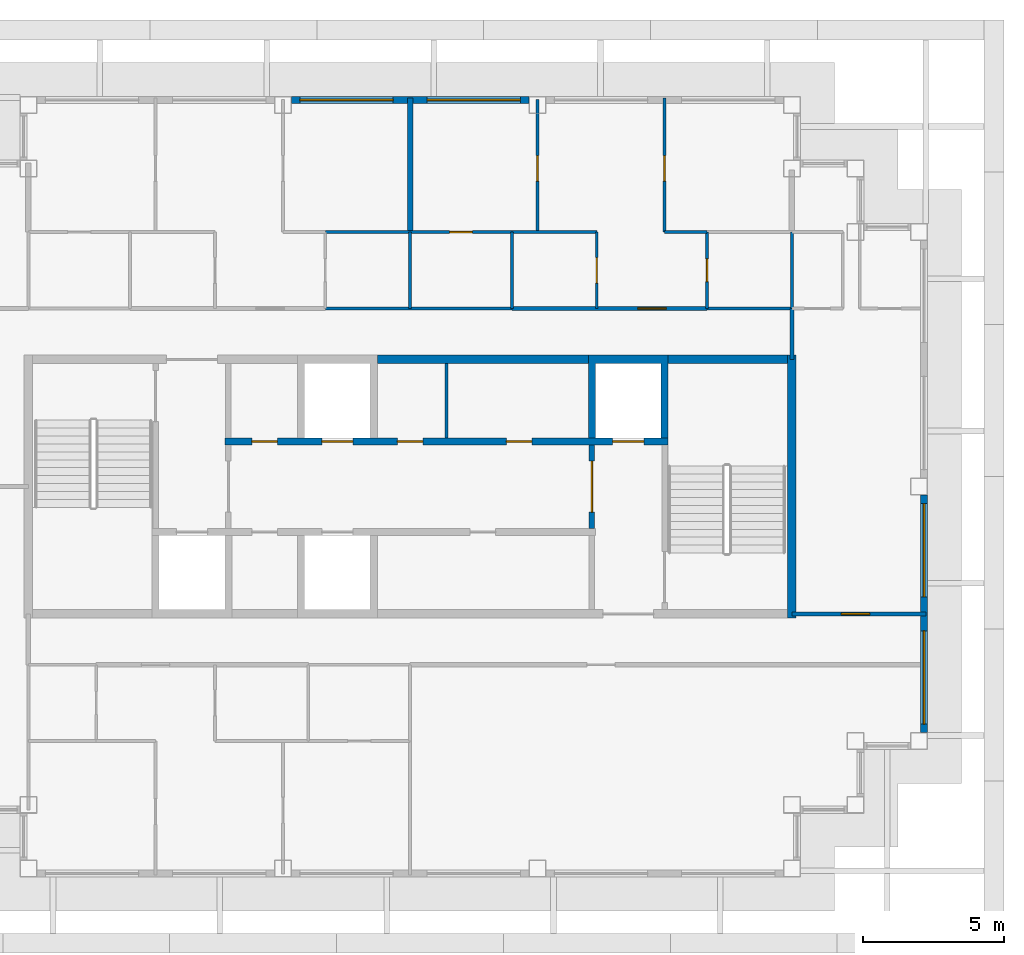
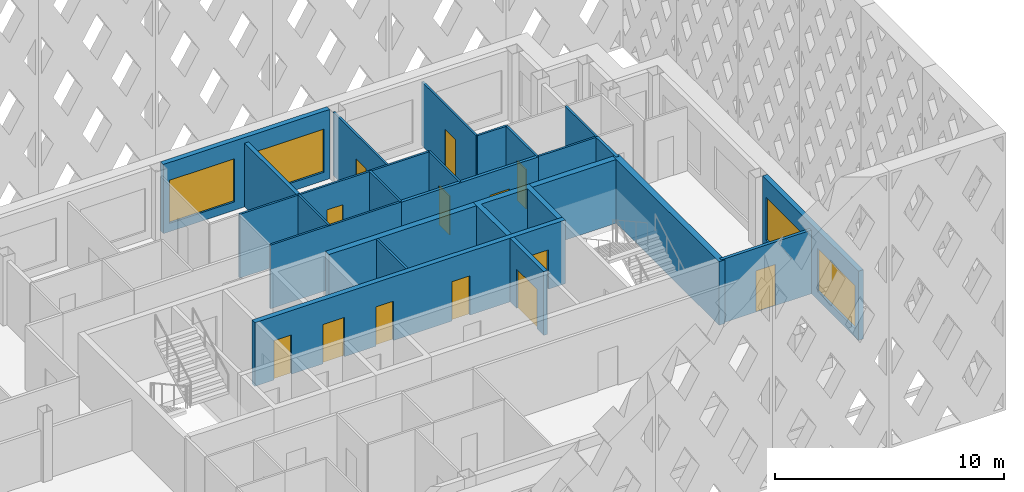
# One storey, part 5 of 15: 25 walls, 13 doors, 4 windows, 17 openings.
"""IFC4 building model written with IfcOpenShell, lengths in metres."""

import ifcopenshell
import ifcopenshell.guid

model = None  # the IFC model being written
_history = None  # IfcOwnerHistory: only IFC2X3 demands one
_inside = {}  # id of a spatial element -> (the spatial element, [elements in it])
_under = {}  # id of a project, library or spatial element -> (it, [spatial elements below it])
_declared = {}  # id of a project -> (the project, [libraries it declares])
_typed = {}  # id of a type object -> (the type object, [elements of that type])
_made_of = {}  # id of a material, layer set ... -> (it, [elements and type objects made of it])


def new_model(schema):
    """Start an empty IFC model of exactly this schema.

    Asked for "IFC4X3", IfcOpenShell would pick the latest addendum, in which some entities
    have other attributes; the version numbers below select the first issue.
    IFC2X3 requires an IfcOwnerHistory on every rooted entity: one is made here for all.
    """
    global model, _history
    if schema == "IFC4X3":
        model = ifcopenshell.file(schema_version=(4, 3, 0, 0))
    else:
        model = ifcopenshell.file(schema=schema)
    _inside.clear()
    _under.clear()
    _declared.clear()
    _typed.clear()
    _made_of.clear()
    _history = None
    if model.schema == "IFC2X3":
        org = make("IfcOrganization", Name="unknown")
        user = make(
            "IfcPersonAndOrganization",
            ThePerson=make("IfcPerson", FamilyName="unknown"),
            TheOrganization=org,
        )
        app = make(
            "IfcApplication",
            ApplicationDeveloper=org,
            Version="unknown",
            ApplicationFullName="unknown",
            ApplicationIdentifier="unknown",
        )
        _history = make(
            "IfcOwnerHistory",
            OwningUser=user,
            OwningApplication=app,
            ChangeAction="ADDED",
            CreationDate=0,
        )
    return model


def make(cls, **values):
    """One entity of the class cls with the attributes given. An attribute that is None is left unset."""
    return model.create_entity(
        cls, **{name: value for name, value in values.items() if value is not None}
    )


def rooted(cls, **values):
    """An entity with a GlobalId (a new one), such as an element, a storey or a relation."""
    return make(cls, GlobalId=ifcopenshell.guid.new(), OwnerHistory=_history, **values)


def si_unit(unit_type, name, prefix=None):
    """IfcSIUnit, for example si_unit("LENGTHUNIT", "METRE", prefix="MILLI")."""
    return make("IfcSIUnit", UnitType=unit_type, Prefix=prefix, Name=name)


def assignment(units):
    """IfcUnitAssignment: the units of a project."""
    return None if units is None else make("IfcUnitAssignment", Units=units)


def point(xyz):
    """IfcCartesianPoint."""
    return None if xyz is None else make("IfcCartesianPoint", Coordinates=xyz)


def direction(xyz):
    """IfcDirection."""
    return None if xyz is None else make("IfcDirection", DirectionRatios=xyz)


def frame(location, z_axis=None, x_axis=None):
    """IfcAxis2Placement3D, a coordinate frame: its origin and axes. An axis left out is left unset."""
    return make(
        "IfcAxis2Placement3D",
        Location=point(location),
        Axis=direction(z_axis),
        RefDirection=direction(x_axis),
    )


def frame_2d(location, x_axis=None):
    """IfcAxis2Placement2D, a coordinate frame in the plane: its origin and x axis."""
    return make(
        "IfcAxis2Placement2D", Location=point(location), RefDirection=direction(x_axis)
    )


def origin():
    """The frame at (0, 0, 0) with its axes left unset."""
    return frame((0.0, 0.0, 0.0))


def place(relative_to, where):
    """IfcLocalPlacement: puts the frame where relative to a parent placement (None: the world)."""
    return make(
        "IfcLocalPlacement", PlacementRelTo=relative_to, RelativePlacement=where
    )


def context(
    kind, dimensions, precision=None, world=None, true_north=None, identifier=None
):
    """IfcGeometricRepresentationContext, for example the 3D "Model" context."""
    return make(
        "IfcGeometricRepresentationContext",
        ContextIdentifier=identifier,
        ContextType=kind,
        CoordinateSpaceDimension=dimensions,
        Precision=precision,
        WorldCoordinateSystem=world,
        TrueNorth=true_north,
    )


def subcontext(parent, identifier, kind, view, scale=None):
    """IfcGeometricRepresentationSubContext, for example "Body" below "Model"."""
    return make(
        "IfcGeometricRepresentationSubContext",
        ContextIdentifier=identifier,
        ContextType=kind,
        ParentContext=parent,
        TargetScale=scale,
        TargetView=view,
    )


def project(units=None, contexts=None):
    """IfcProject with its units and contexts."""
    return rooted(
        "IfcProject",
        Name="project",
        RepresentationContexts=contexts,
        UnitsInContext=assignment(units),
    )


def spatial(cls, under=None, at=None, **own):
    """A site, building, storey or space (cls), placed at a placement, below another one or the project."""
    s = rooted(cls, ObjectPlacement=at, **own)
    if under is not None:
        _under.setdefault(under.id(), (under, []))[1].append(s)
    return s


def polyline(points):
    """IfcPolyline through the points."""
    return make("IfcPolyline", Points=[point(p) for p in points])


def profile(cls, at=None, kind="AREA", **sizes):
    """A parametric profile (cls). Its sizes go by their IFC names, for example OverallWidth=200.0."""
    return make(cls, ProfileType=kind, Position=at, **sizes)


def rectangle(**sizes):
    """IfcRectangleProfileDef."""
    return profile("IfcRectangleProfileDef", **sizes)


def outline(outer, holes=None, kind="AREA"):
    """IfcArbitraryClosedProfileDef: a profile drawn as a closed curve; with holes, ...WithVoids."""
    if holes is None:
        return make("IfcArbitraryClosedProfileDef", ProfileType=kind, OuterCurve=outer)
    return make(
        "IfcArbitraryProfileDefWithVoids",
        ProfileType=kind,
        OuterCurve=outer,
        InnerCurves=holes,
    )


def extrude(swept, where, along, depth):
    """IfcExtrudedAreaSolid: the profile swept, set in the frame where, extruded along a direction by depth."""
    return make(
        "IfcExtrudedAreaSolid",
        SweptArea=swept,
        Position=where,
        ExtrudedDirection=direction(along),
        Depth=depth,
    )


def shape(context_of_items, identifier, shape_type, items):
    """IfcShapeRepresentation: the items that make up one representation, for example the "Body"."""
    return make(
        "IfcShapeRepresentation",
        ContextOfItems=context_of_items,
        RepresentationIdentifier=identifier,
        RepresentationType=shape_type,
        Items=items,
    )


def material(Name=None, Category=None):
    """IfcMaterial."""
    return make("IfcMaterial", Name=Name, Category=Category)


def layer(
    of_material, thickness, ventilated=None, Name=None, Category=None, Priority=None
):
    """IfcMaterialLayer: one layer of a wall or slab, of a material (None: an air gap)."""
    return make(
        "IfcMaterialLayer",
        Material=of_material,
        LayerThickness=thickness,
        IsVentilated=ventilated,
        Name=Name,
        Category=Category,
        Priority=Priority,
    )


def layer_set(layers, Name=None):
    """IfcMaterialLayerSet."""
    return make("IfcMaterialLayerSet", MaterialLayers=layers, LayerSetName=Name)


def made_of(thing, what):
    """Note that an element or type object is made of a material, layer set ...; save() writes the relation."""
    if what is not None:
        _made_of.setdefault(what.id(), (what, []))[1].append(thing)
    return thing


def type_object(cls, material=None, **own):
    """A type object (cls), such as IfcWallType, which elements share."""
    return made_of(rooted(cls, **own), material)


def element(
    cls,
    number,
    at=None,
    inside=None,
    cuts=None,
    type_object=None,
    material=None,
    context=None,
    identifier="Body",
    shape_type=None,
    held_by="IfcProductDefinitionShape",
    body=None,
    shapes=None,
    **own,
):
    """One element of the class cls, such as IfcWall. Its Tag is "e" and its number.

    at: its placement. inside: the storey or other place that contains it. cuts: it is an
    opening in that element (IfcRelVoidsElement). A single representation is given by context,
    identifier, shape_type and body (its items); several are given by shapes. held_by: the class
    of the entity that holds the representations. save() writes the other relations.
    """
    e = rooted(cls, Tag="e%d" % number, ObjectPlacement=at, **own)
    if body is not None:
        shapes = [shape(context, identifier, shape_type, body)]
    if shapes is not None:
        e.Representation = make(held_by, Representations=shapes)
    if inside is not None:
        _inside.setdefault(inside.id(), (inside, []))[1].append(e)
    if cuts is not None:
        rooted(
            "IfcRelVoidsElement", RelatingBuildingElement=cuts, RelatedOpeningElement=e
        )
    if type_object is not None:
        _typed.setdefault(type_object.id(), (type_object, []))[1].append(e)
    return made_of(e, material)


def fill(opening, filler):
    """IfcRelFillsElement: the door or window that sits in an opening."""
    return rooted(
        "IfcRelFillsElement",
        RelatingOpeningElement=opening,
        RelatedBuildingElement=filler,
    )


def aggregate(whole, parts):
    """IfcRelAggregates: a whole, such as a stair, and the parts it consists of."""
    return rooted("IfcRelAggregates", RelatingObject=whole, RelatedObjects=parts)


def save(model, path):
    """Write the relations noted so far, then the file.

    IfcRelAggregates (storeys below a building ...), IfcRelContainedInSpatialStructure (elements
    in a storey), IfcRelDefinesByType, IfcRelAssociatesMaterial and IfcRelDeclares: one each for
    every whole, place, type object, material and project.
    """
    for whole, parts in _under.values():
        aggregate(whole, parts)
    for where, things in _inside.values():
        rooted(
            "IfcRelContainedInSpatialStructure",
            RelatedElements=things,
            RelatingStructure=where,
        )
    for kind, things in _typed.values():
        rooted("IfcRelDefinesByType", RelatedObjects=things, RelatingType=kind)
    for what, things in _made_of.values():
        rooted("IfcRelAssociatesMaterial", RelatedObjects=things, RelatingMaterial=what)
    for by, libraries in _declared.values():
        rooted("IfcRelDeclares", RelatingContext=by, RelatedDefinitions=libraries)
    model.write(path)


model = new_model("IFC4")

# Units and contexts
model_context = context("Model", 3, precision=1e-05, world=origin(), true_north=direction((0.0, 1.0)))
body_context = subcontext(model_context, "Body", "Model", "MODEL_VIEW")
ifc_project = project(units=[si_unit("LENGTHUNIT", "METRE"), si_unit("AREAUNIT", "SQUARE_METRE"), si_unit("VOLUMEUNIT", "CUBIC_METRE"), si_unit("PLANEANGLEUNIT", "RADIAN"), si_unit("MASSUNIT", "GRAM", prefix="KILO")], contexts=[model_context])

# Site, building, storey
site_placement = place(None, origin())
site = spatial("IfcSite", under=ifc_project, at=site_placement, CompositionType="ELEMENT")
building_placement = place(site_placement, origin())
building = spatial("IfcBuilding", under=site, at=building_placement, Name="Caravel Reach Hotel and Residences", CompositionType="ELEMENT")
storey_placement = place(building_placement, frame((0.0, 0.0, 237.89990234375)))
storey = spatial("IfcBuildingStorey", under=building, at=storey_placement, Name="L60", CompositionType="ELEMENT", Elevation=237.89990234375)

# Walls
ifc_material_1 = material(Name="Gypsum board on steel stud", Category="steel")
ifc_layer_1 = layer(ifc_material_1, 0.10009765625)
ifc_layer_set_1 = layer_set([ifc_layer_1], Name="Bathroom pod wall 100 mm")
wall_type_1 = type_object("IfcWallType", Name="Bathroom pod wall 100 mm", PredefinedType="PARTITIONING", material=ifc_layer_set_1)
wall_1_placement = place(storey_placement, frame((28.5, 33.300048828125, 0.0), z_axis=(0.0, 0.0, 1.0), x_axis=(1.0, 0.0, 0.0)))
element("IfcWall", 1, at=wall_1_placement, inside=storey, type_object=wall_type_1, Name="L60 wall w057", PredefinedType="PARTITIONING", context=body_context, shape_type="SweptSolid", body=[
    extrude(rectangle(XDim=6.60009765625, YDim=0.10009765625, at=frame_2d((3.300048828125, 0.0))), origin(), (0.0, 0.0, 1.0), 3.400146484375),
])
wall_2_placement = place(storey_placement, frame((42.0, 33.300048828125, 0.0), z_axis=(0.0, 0.0, 1.0), x_axis=(1.0, 0.0, 0.0)))
element("IfcWall", 2, at=wall_2_placement, inside=storey, type_object=wall_type_1, Name="L60 wall w059", PredefinedType="PARTITIONING", context=body_context, shape_type="SweptSolid", body=[
    extrude(rectangle(XDim=3.0, YDim=0.10009765625, at=frame_2d((1.5, 0.0))), origin(), (0.0, 0.0, 1.0), 3.400146484375),
])

# Wall, opening, door
wall_3_placement = place(storey_placement, frame((28.5, 36.0, 0.0), z_axis=(0.0, 0.0, 1.0), x_axis=(1.0, 0.0, 0.0)))
wall_3 = element("IfcWall", 3, at=wall_3_placement, inside=storey, type_object=wall_type_1, Name="L60 wall w062", PredefinedType="PARTITIONING", context=body_context, shape_type="SweptSolid", body=[
    extrude(rectangle(XDim=6.60009765625, YDim=0.10009765625, at=frame_2d((3.300048828125, 0.0))), origin(), (0.0, 0.0, 1.0), 3.400146484375),
])
opening_1_placement = place(wall_3_placement, frame((4.39990234375, 0.0, 0.0)))
opening_1 = element("IfcOpeningElement", 4, at=opening_1_placement, cuts=wall_3, Name="Opening D60-023", PredefinedType="OPENING", context=body_context, shape_type="SweptSolid", body=[
    extrude(rectangle(XDim=0.800048828125, YDim=2.10009765625, at=frame_2d((0.39990234375, 1.050048828125))), frame((0.0, 0.06005859375, 0.0), z_axis=(0.0, -1.0, 0.0), x_axis=(1.0, 0.0, 0.0)), (0.0, 0.0, 1.0), 0.1201171875),
])
ifc_material_2 = material(Name="Timber and steel door leaf", Category="steel")
door_type_1 = type_object("IfcDoorType", Name="Bathroom door 800 x 2100", OperationType="SINGLE_SWING_LEFT", PredefinedType="DOOR", material=ifc_material_2)
door_1_placement = place(opening_1_placement, origin())
door_1 = element("IfcDoor", 5, at=door_1_placement, inside=storey, type_object=door_type_1, Name="door D60-023", OperationType="SINGLE_SWING_RIGHT", OverallHeight=2.10009765625, OverallWidth=0.800048828125, PredefinedType="DOOR", context=body_context, shape_type="SweptSolid", body=[
    extrude(rectangle(XDim=0.800048828125, YDim=2.10009765625, at=frame_2d((0.39990234375, 1.050048828125))), frame((0.0, 0.02490234375, 0.0), z_axis=(0.0, -1.0, 0.0), x_axis=(1.0, 0.0, 0.0)), (0.0, 0.0, 1.0), 0.050048828125),
])
fill(opening_1, door_1)

# Walls
for number, where, z_axis, x_axis, name in (
    (6, (31.5, 33.300048828125, 0.0), (0.0, 0.0, 1.0), (0.0, 1.0, 0.0), "L60 wall w072"),
    (7, (35.10009765625, 33.300048828125, 0.0), (0.0, 0.0, 1.0), (0.0, 1.0, 0.0), "L60 wall w074"),
):
    element("IfcWall", number, at=place(storey_placement, frame(where, z_axis=z_axis, x_axis=x_axis)), inside=storey, type_object=wall_type_1, Name=name, PredefinedType="PARTITIONING", context=body_context, shape_type="SweptSolid", body=[
        extrude(rectangle(XDim=2.699951171875, YDim=0.10009765625, at=frame_2d((1.35009765625, 0.0))), origin(), (0.0, 0.0, 1.0), 3.400146484375),
    ])

# Wall, opening, door
wall_4_placement = place(storey_placement, frame((42.0, 33.300048828125, 0.0), z_axis=(0.0, 0.0, 1.0), x_axis=(0.0, 1.0, 0.0)))
wall_4 = element("IfcWall", 8, at=wall_4_placement, inside=storey, type_object=wall_type_1, Name="L60 wall w076", PredefinedType="PARTITIONING", context=body_context, shape_type="SweptSolid", body=[
    extrude(rectangle(XDim=2.699951171875, YDim=0.10009765625, at=frame_2d((1.35009765625, 0.0))), origin(), (0.0, 0.0, 1.0), 3.400146484375),
])
opening_2_placement = place(wall_4_placement, frame((0.949951171875, 0.0, 0.0)))
opening_2 = element("IfcOpeningElement", 9, at=opening_2_placement, cuts=wall_4, Name="Opening D60-025", PredefinedType="OPENING", context=body_context, shape_type="SweptSolid", body=[
    extrude(rectangle(XDim=0.800048828125, YDim=2.10009765625, at=frame_2d((0.39990234375, 1.050048828125))), frame((0.0, 0.06005859375, 0.0), z_axis=(0.0, -1.0, 0.0), x_axis=(1.0, 0.0, 0.0)), (0.0, 0.0, 1.0), 0.1201171875),
])
door_2_placement = place(opening_2_placement, origin())
door_2 = element("IfcDoor", 10, at=door_2_placement, inside=storey, type_object=door_type_1, Name="door D60-025", OperationType="SINGLE_SWING_LEFT", OverallHeight=2.10009765625, OverallWidth=0.800048828125, PredefinedType="DOOR", context=body_context, shape_type="SweptSolid", body=[
    extrude(rectangle(XDim=0.800048828125, YDim=2.10009765625, at=frame_2d((0.39990234375, 1.050048828125))), frame((0.0, 0.02490234375, 0.0), z_axis=(0.0, -1.0, 0.0), x_axis=(1.0, 0.0, 0.0)), (0.0, 0.0, 1.0), 0.050048828125),
])
fill(opening_2, door_2)

# Walls
wall_5_placement = place(storey_placement, frame((45.0, 33.300048828125, 0.0), z_axis=(0.0, 0.0, 1.0), x_axis=(0.0, 1.0, 0.0)))
element("IfcWall", 11, at=wall_5_placement, inside=storey, type_object=wall_type_1, Name="L60 wall w077", PredefinedType="PARTITIONING", context=body_context, shape_type="SweptSolid", body=[
    extrude(rectangle(XDim=2.699951171875, YDim=0.10009765625, at=frame_2d((1.35009765625, 0.0))), origin(), (0.0, 0.0, 1.0), 3.400146484375),
])
ifc_material_3 = material(Name="Concrete C60", Category="concrete")
ifc_layer_2 = layer(ifc_material_3, 0.300048828125)
ifc_layer_set_2 = layer_set([ifc_layer_2], Name="Core wall 300 mm EI 120")
wall_type_2 = type_object("IfcWallType", Name="Core wall 300 mm EI 120", PredefinedType="SHEAR", material=ifc_layer_set_2)
wall_6_placement = place(storey_placement, frame((30.33935546875, 31.5, 0.0), z_axis=(0.0, 0.0, 1.0), x_axis=(1.0, 0.0, 0.0)))
element("IfcWall", 12, at=wall_6_placement, inside=storey, type_object=wall_type_2, Name="L60 core wall N2", PredefinedType="SHEAR", context=body_context, shape_type="SweptSolid", body=[
    extrude(rectangle(XDim=7.464111328125, YDim=0.300048828125, at=frame_2d((3.73193359375, 0.0))), origin(), (0.0, 0.0, 1.0), 3.400146484375),
])
wall_7_placement = place(storey_placement, frame((40.625, 31.5, 0.0), z_axis=(0.0, 0.0, 1.0), x_axis=(1.0, 0.0, 0.0)))
element("IfcWall", 13, at=wall_7_placement, inside=storey, type_object=wall_type_2, Name="L60 core wall N3", PredefinedType="SHEAR", context=body_context, shape_type="SweptSolid", body=[
    extrude(rectangle(XDim=4.22509765625, YDim=0.300048828125, at=frame_2d((2.112548828125, 0.0))), origin(), (0.0, 0.0, 1.0), 3.400146484375),
])
wall_8_placement = place(storey_placement, frame((45.0, 22.35009765625, 0.0), z_axis=(0.0, 0.0, 1.0), x_axis=(0.0, 1.0, 0.0)))
element("IfcWall", 14, at=wall_8_placement, inside=storey, type_object=wall_type_2, Name="L60 core wall E", PredefinedType="SHEAR", context=body_context, shape_type="SweptSolid", body=[
    extrude(rectangle(XDim=9.2998046875, YDim=0.300048828125, at=frame_2d((4.64990234375, 0.0))), origin(), (0.0, 0.0, 1.0), 3.400146484375),
])

# Wall, opening, door
ifc_material_4 = material(Name="Gypsum board on steel stud, fire-rated", Category="steel")
ifc_layer_3 = layer(ifc_material_4, 0.14990234375)
ifc_layer_set_3 = layer_set([ifc_layer_3], Name="Corridor wall 150 mm EI 60")
wall_type_3 = type_object("IfcWallType", Name="Corridor wall 150 mm EI 60", PredefinedType="PARTITIONING", material=ifc_layer_set_3)
wall_9_placement = place(storey_placement, frame((45.0, 22.5, 0.0), z_axis=(0.0, 0.0, 1.0), x_axis=(1.0, 0.0, 0.0)))
wall_9 = element("IfcWall", 15, at=wall_9_placement, inside=storey, type_object=wall_type_3, Name="L60 wall w005", PredefinedType="PARTITIONING", context=body_context, shape_type="SweptSolid", body=[
    extrude(rectangle(XDim=4.739990234375, YDim=0.14990234375, at=frame_2d((2.3701171875, 0.0))), origin(), (0.0, 0.0, 1.0), 3.400146484375),
])
opening_3_placement = place(wall_9_placement, frame((1.75, 0.0, 0.0)))
opening_3 = element("IfcOpeningElement", 16, at=opening_3_placement, cuts=wall_9, Name="Opening D60-040", PredefinedType="OPENING", context=body_context, shape_type="SweptSolid", body=[
    extrude(rectangle(XDim=1.0, YDim=2.199951171875, at=frame_2d((0.5, 1.10009765625))), frame((0.0, 0.0849609375, 0.0), z_axis=(0.0, -1.0, 0.0), x_axis=(1.0, 0.0, 0.0)), (0.0, 0.0, 1.0), 0.169921875),
])
ifc_material_5 = material(Name="Steel fire door leaf", Category="steel")
door_type_2 = type_object("IfcDoorType", Name="Flat entrance door 1000 x 2200 EI 60", OperationType="SINGLE_SWING_LEFT", PredefinedType="DOOR", material=ifc_material_5)
door_3_placement = place(opening_3_placement, origin())
door_3 = element("IfcDoor", 17, at=door_3_placement, inside=storey, type_object=door_type_2, Name="door D60-040", OperationType="SINGLE_SWING_LEFT", OverallHeight=2.199951171875, OverallWidth=1.0, PredefinedType="DOOR", context=body_context, shape_type="SweptSolid", body=[
    extrude(rectangle(XDim=1.0, YDim=2.199951171875, at=frame_2d((0.5, 1.10009765625))), frame((0.0, 0.02490234375, 0.0), z_axis=(0.0, -1.0, 0.0), x_axis=(1.0, 0.0, 0.0)), (0.0, 0.0, 1.0), 0.050048828125),
])
fill(opening_3, door_3)

wall_10_placement = place(storey_placement, frame((35.10009765625, 33.300048828125, 0.0), z_axis=(0.0, 0.0, 1.0), x_axis=(1.0, 0.0, 0.0)))
wall_10 = element("IfcWall", 18, at=wall_10_placement, inside=storey, type_object=wall_type_3, Name="L60 wall w013", PredefinedType="PARTITIONING", context=body_context, shape_type="SweptSolid", body=[
    extrude(rectangle(XDim=6.89990234375, YDim=0.14990234375, at=frame_2d((3.449951171875, 0.0))), origin(), (0.0, 0.0, 1.0), 3.400146484375),
])
opening_4_placement = place(wall_10_placement, frame((4.449951171875, 0.0, 0.0)))
opening_4 = element("IfcOpeningElement", 19, at=opening_4_placement, cuts=wall_10, Name="Opening D60-022", PredefinedType="OPENING", context=body_context, shape_type="SweptSolid", body=[
    extrude(rectangle(XDim=1.0, YDim=2.199951171875, at=frame_2d((0.5, 1.10009765625))), frame((0.0, 0.0849609375, 0.0), z_axis=(0.0, -1.0, 0.0), x_axis=(1.0, 0.0, 0.0)), (0.0, 0.0, 1.0), 0.169921875),
])
door_4_placement = place(opening_4_placement, origin())
door_4 = element("IfcDoor", 20, at=door_4_placement, inside=storey, type_object=door_type_2, Name="door D60-022", OperationType="SINGLE_SWING_LEFT", OverallHeight=2.199951171875, OverallWidth=1.0, PredefinedType="DOOR", context=body_context, shape_type="SweptSolid", body=[
    extrude(rectangle(XDim=1.0, YDim=2.199951171875, at=frame_2d((0.5, 1.10009765625))), frame((0.0, 0.02490234375, 0.0), z_axis=(0.0, -1.0, 0.0), x_axis=(1.0, 0.0, 0.0)), (0.0, 0.0, 1.0), 0.050048828125),
])
fill(opening_4, door_4)

# Wall
wall_11_placement = place(storey_placement, frame((45.0, 31.5, 0.0), z_axis=(0.0, 0.0, 1.0), x_axis=(0.0, 1.0, 0.0)))
element("IfcWall", 21, at=wall_11_placement, inside=storey, type_object=wall_type_3, Name="L60 wall w018", PredefinedType="PARTITIONING", context=body_context, shape_type="SweptSolid", body=[
    extrude(rectangle(XDim=1.800048828125, YDim=0.14990234375, at=frame_2d((0.89990234375, 0.0))), origin(), (0.0, 0.0, 1.0), 3.400146484375),
])

# Wall, openings, windows
ifc_material_6 = material(Name="Insulated rainscreen wall, aluminium cladding", Category="aluminium")
ifc_layer_4 = layer(ifc_material_6, 0.25)
ifc_layer_set_4 = layer_set([ifc_layer_4], Name="EW1 Tower rainscreen wall")
wall_type_4 = type_object("IfcWallType", Name="EW1 Tower rainscreen wall", PredefinedType="SOLIDWALL", material=ifc_layer_set_4)
wall_12_placement = place(storey_placement, frame((49.675048828125, 18.300048828125, 0.0), z_axis=(0.0, 0.0, 1.0), x_axis=(0.0, 1.0, 0.0)))
wall_12 = element("IfcWall", 22, at=wall_12_placement, inside=storey, type_object=wall_type_4, Name="External wall L60 E9.1", PredefinedType="SOLIDWALL", context=body_context, shape_type="SweptSolid", body=[
    extrude(rectangle(XDim=8.39990234375, YDim=0.25, at=frame_2d((4.199951171875, 0.0))), origin(), (0.0, 0.0, 1.0), 3.7001953125),
])
opening_5_placement = place(wall_12_placement, frame((0.300048828125, 0.0, 0.449951171875)))
opening_5 = element("IfcOpeningElement", 23, at=opening_5_placement, cuts=wall_12, Name="Opening WN15", PredefinedType="OPENING", context=body_context, shape_type="SweptSolid", body=[
    extrude(rectangle(XDim=3.300048828125, YDim=2.300048828125, at=frame_2d((1.64990234375, 1.14990234375))), frame((0.0, 0.135009765625, 0.0), z_axis=(0.0, -1.0, 0.0), x_axis=(1.0, 0.0, 0.0)), (0.0, 0.0, 1.0), 0.27001953125),
])
opening_6_placement = place(wall_12_placement, frame((4.800048828125, 0.0, 0.449951171875)))
opening_6 = element("IfcOpeningElement", 24, at=opening_6_placement, cuts=wall_12, Name="Opening WN15", PredefinedType="OPENING", context=body_context, shape_type="SweptSolid", body=[
    extrude(rectangle(XDim=3.300048828125, YDim=2.300048828125, at=frame_2d((1.64990234375, 1.14990234375))), frame((0.0, 0.135009765625, 0.0), z_axis=(0.0, -1.0, 0.0), x_axis=(1.0, 0.0, 0.0)), (0.0, 0.0, 1.0), 0.27001953125),
])
ifc_material_7 = material(Name="Dark low-e glazing in black aluminium frame", Category="aluminium")
window_type = type_object("IfcWindowType", Name="Residence living window 3300 x 2300", PartitioningType="SINGLE_PANEL", PredefinedType="WINDOW", material=ifc_material_7)
window_1_placement = place(opening_5_placement, origin())
window_1 = element("IfcWindow", 25, at=window_1_placement, inside=storey, type_object=window_type, Name="Window L60 E9.1.1", OverallHeight=2.300048828125, OverallWidth=3.300048828125, PartitioningType="SINGLE_PANEL", PredefinedType="WINDOW", context=body_context, shape_type="SweptSolid", body=[
    extrude(rectangle(XDim=3.300048828125, YDim=2.300048828125, at=frame_2d((1.64990234375, 1.14990234375))), frame((0.0, 0.030029296875, 0.0), z_axis=(0.0, -1.0, 0.0), x_axis=(1.0, 0.0, 0.0)), (0.0, 0.0, 1.0), 0.06005859375),
])
fill(opening_5, window_1)
window_2_placement = place(opening_6_placement, origin())
window_2 = element("IfcWindow", 26, at=window_2_placement, inside=storey, type_object=window_type, Name="Window L60 E9.1.2", OverallHeight=2.300048828125, OverallWidth=3.300048828125, PartitioningType="SINGLE_PANEL", PredefinedType="WINDOW", context=body_context, shape_type="SweptSolid", body=[
    extrude(rectangle(XDim=3.300048828125, YDim=2.300048828125, at=frame_2d((1.64990234375, 1.14990234375))), frame((0.0, 0.030029296875, 0.0), z_axis=(0.0, -1.0, 0.0), x_axis=(1.0, 0.0, 0.0)), (0.0, 0.0, 1.0), 0.06005859375),
])
fill(opening_6, window_2)

wall_13_placement = place(storey_placement, frame((35.699951171875, 40.675048828125, 0.0), z_axis=(0.0, 0.0, 1.0), x_axis=(-1.0, 0.0, 0.0)))
wall_13 = element("IfcWall", 27, at=wall_13_placement, inside=storey, type_object=wall_type_4, Name="External wall L60 N14.2", PredefinedType="SOLIDWALL", context=body_context, shape_type="SweptSolid", body=[
    extrude(rectangle(XDim=8.39990234375, YDim=0.25, at=frame_2d((4.199951171875, 0.0))), origin(), (0.0, 0.0, 1.0), 3.7001953125),
])
opening_7_placement = place(wall_13_placement, frame((0.300048828125, 0.0, 0.449951171875)))
opening_7 = element("IfcOpeningElement", 28, at=opening_7_placement, cuts=wall_13, Name="Opening WN15", PredefinedType="OPENING", context=body_context, shape_type="SweptSolid", body=[
    extrude(rectangle(XDim=3.300048828125, YDim=2.300048828125, at=frame_2d((1.64990234375, 1.14990234375))), frame((0.0, 0.135009765625, 0.0), z_axis=(0.0, -1.0, 0.0), x_axis=(1.0, 0.0, 0.0)), (0.0, 0.0, 1.0), 0.27001953125),
])
opening_8_placement = place(wall_13_placement, frame((4.800048828125, 0.0, 0.449951171875)))
opening_8 = element("IfcOpeningElement", 29, at=opening_8_placement, cuts=wall_13, Name="Opening WN15", PredefinedType="OPENING", context=body_context, shape_type="SweptSolid", body=[
    extrude(rectangle(XDim=3.300048828125, YDim=2.300048828125, at=frame_2d((1.64990234375, 1.14990234375))), frame((0.0, 0.135009765625, 0.0), z_axis=(0.0, -1.0, 0.0), x_axis=(1.0, 0.0, 0.0)), (0.0, 0.0, 1.0), 0.27001953125),
])
window_3_placement = place(opening_7_placement, origin())
window_3 = element("IfcWindow", 30, at=window_3_placement, inside=storey, type_object=window_type, Name="Window L60 N14.2.1", OverallHeight=2.300048828125, OverallWidth=3.300048828125, PartitioningType="SINGLE_PANEL", PredefinedType="WINDOW", context=body_context, shape_type="SweptSolid", body=[
    extrude(rectangle(XDim=3.300048828125, YDim=2.300048828125, at=frame_2d((1.64990234375, 1.14990234375))), frame((0.0, 0.030029296875, 0.0), z_axis=(0.0, -1.0, 0.0), x_axis=(1.0, 0.0, 0.0)), (0.0, 0.0, 1.0), 0.06005859375),
])
fill(opening_7, window_3)
window_4_placement = place(opening_8_placement, origin())
window_4 = element("IfcWindow", 31, at=window_4_placement, inside=storey, type_object=window_type, Name="Window L60 N14.2.2", OverallHeight=2.300048828125, OverallWidth=3.300048828125, PartitioningType="SINGLE_PANEL", PredefinedType="WINDOW", context=body_context, shape_type="SweptSolid", body=[
    extrude(rectangle(XDim=3.300048828125, YDim=2.300048828125, at=frame_2d((1.64990234375, 1.14990234375))), frame((0.0, 0.030029296875, 0.0), z_axis=(0.0, -1.0, 0.0), x_axis=(1.0, 0.0, 0.0)), (0.0, 0.0, 1.0), 0.06005859375),
])
fill(opening_8, window_4)

# Wall, opening, door
ifc_material_8 = material(Name="Autoclaved aerated block wall")
ifc_layer_5 = layer(ifc_material_8, 0.199951171875)
ifc_layer_set_5 = layer_set([ifc_layer_5], Name="Fire lobby wall 200 mm EI 120")
wall_type_5 = type_object("IfcWallType", Name="Fire lobby wall 200 mm EI 120", PredefinedType="PARTITIONING", material=ifc_layer_set_5)
wall_14_placement = place(storey_placement, frame((37.928466796875, 25.52490234375, 0.0), z_axis=(0.0, 0.0, 1.0), x_axis=(0.0, 1.0, 0.0)))
wall_14 = element("IfcWall", 32, at=wall_14_placement, inside=storey, type_object=wall_type_5, Name="L60 lobby E wall", PredefinedType="PARTITIONING", context=body_context, shape_type="SweptSolid", body=[
    extrude(rectangle(XDim=2.9501953125, YDim=0.199951171875, at=frame_2d((1.47509765625, 0.0))), origin(), (0.0, 0.0, 1.0), 3.400146484375),
])
opening_9_placement = place(wall_14_placement, frame((0.574951171875, 0.0, 0.0)))
opening_9 = element("IfcOpeningElement", 33, at=opening_9_placement, cuts=wall_14, Name="Opening D60-013", PredefinedType="OPENING", context=body_context, shape_type="SweptSolid", body=[
    extrude(rectangle(XDim=1.800048828125, YDim=2.10009765625, at=frame_2d((0.89990234375, 1.050048828125))), frame((0.0, 0.10986328125, 0.0), z_axis=(0.0, -1.0, 0.0), x_axis=(1.0, 0.0, 0.0)), (0.0, 0.0, 1.0), 0.219970703125),
])
ifc_material_9 = material(Name="Steel fire door leaf", Category="steel")
door_type_3 = type_object("IfcDoorType", Name="Fire lobby door pair 1800 x 2100 EI 90", OperationType="DOUBLE_DOOR_SINGLE_SWING", PredefinedType="DOOR", material=ifc_material_9)
door_5_placement = place(opening_9_placement, origin())
door_5 = element("IfcDoor", 34, at=door_5_placement, inside=storey, type_object=door_type_3, Name="lobby E door pair", OperationType="DOUBLE_DOOR_SINGLE_SWING", OverallHeight=2.10009765625, OverallWidth=1.800048828125, PredefinedType="DOOR", context=body_context, shape_type="SweptSolid", body=[
    extrude(rectangle(XDim=1.800048828125, YDim=2.10009765625, at=frame_2d((0.89990234375, 1.050048828125))), frame((0.0, 0.02490234375, 0.0), z_axis=(0.0, -1.0, 0.0), x_axis=(1.0, 0.0, 0.0)), (0.0, 0.0, 1.0), 0.050048828125),
])
fill(opening_9, door_5)

# Walls
ifc_material_10 = material(Name="Gypsum board on steel stud", Category="steel")
ifc_layer_6 = layer(ifc_material_10, 0.10009765625)
ifc_layer_set_6 = layer_set([ifc_layer_6], Name="Partition 100 mm")
wall_type_6 = type_object("IfcWallType", Name="Partition 100 mm", PredefinedType="PARTITIONING", material=ifc_layer_set_6)
wall_15_placement = place(storey_placement, frame((32.78564453125, 28.72509765625, 0.0), z_axis=(0.0, 0.0, 1.0), x_axis=(0.0, 1.0, 0.0)))
element("IfcWall", 35, at=wall_15_placement, inside=storey, type_object=wall_type_6, Name="L60 store partition", PredefinedType="PARTITIONING", context=body_context, shape_type="SweptSolid", body=[
    extrude(rectangle(XDim=2.625, YDim=0.10009765625, at=frame_2d((1.3125, 0.0))), origin(), (0.0, 0.0, 1.0), 3.400146484375),
])
wall_16_placement = place(storey_placement, frame((40.5, 36.0, 0.0), z_axis=(0.0, 0.0, 1.0), x_axis=(1.0, 0.0, 0.0)))
element("IfcWall", 36, at=wall_16_placement, inside=storey, type_object=wall_type_6, Name="L60 wall w028", PredefinedType="PARTITIONING", context=body_context, shape_type="SweptSolid", body=[
    extrude(rectangle(XDim=1.5, YDim=0.10009765625, at=frame_2d((0.75, 0.0))), origin(), (0.0, 0.0, 1.0), 3.400146484375),
])
wall_17_placement = place(storey_placement, frame((35.10009765625, 36.0, 0.0), z_axis=(0.0, 0.0, 1.0), x_axis=(1.0, 0.0, 0.0)))
element("IfcWall", 37, at=wall_17_placement, inside=storey, type_object=wall_type_6, Name="L60 wall w029", PredefinedType="PARTITIONING", context=body_context, shape_type="SweptSolid", body=[
    extrude(rectangle(XDim=3.0, YDim=0.10009765625, at=frame_2d((1.5, 0.0))), origin(), (0.0, 0.0, 1.0), 3.400146484375),
])

# Wall, opening, door
wall_18_placement = place(storey_placement, frame((36.0, 36.0, 0.0), z_axis=(0.0, 0.0, 1.0), x_axis=(0.0, 1.0, 0.0)))
wall_18 = element("IfcWall", 38, at=wall_18_placement, inside=storey, type_object=wall_type_6, Name="L60 wall w042", PredefinedType="PARTITIONING", context=body_context, shape_type="SweptSolid", body=[
    extrude(rectangle(XDim=4.68994140625, YDim=0.10009765625, at=frame_2d((2.344970703125, 0.0))), origin(), (0.0, 0.0, 1.0), 3.400146484375),
])
opening_10_placement = place(wall_18_placement, frame((1.800048828125, 0.0, 0.0)))
opening_10 = element("IfcOpeningElement", 39, at=opening_10_placement, cuts=wall_18, Name="Opening D60-026", PredefinedType="OPENING", context=body_context, shape_type="SweptSolid", body=[
    extrude(rectangle(XDim=0.89990234375, YDim=2.10009765625, at=frame_2d((0.449951171875, 1.050048828125))), frame((0.0, 0.06005859375, 0.0), z_axis=(0.0, -1.0, 0.0), x_axis=(1.0, 0.0, 0.0)), (0.0, 0.0, 1.0), 0.1201171875),
])
ifc_material_11 = material(Name="Timber and steel door leaf", Category="steel")
door_type_4 = type_object("IfcDoorType", Name="Door 900 x 2100 timber", OperationType="SINGLE_SWING_LEFT", PredefinedType="DOOR", material=ifc_material_11)
door_6_placement = place(opening_10_placement, origin())
door_6 = element("IfcDoor", 40, at=door_6_placement, inside=storey, type_object=door_type_4, Name="door D60-026", OperationType="SINGLE_SWING_LEFT", OverallHeight=2.10009765625, OverallWidth=0.89990234375, PredefinedType="DOOR", context=body_context, shape_type="SweptSolid", body=[
    extrude(rectangle(XDim=0.89990234375, YDim=2.10009765625, at=frame_2d((0.449951171875, 1.050048828125))), frame((0.0, 0.02490234375, 0.0), z_axis=(0.0, -1.0, 0.0), x_axis=(1.0, 0.0, 0.0)), (0.0, 0.0, 1.0), 0.050048828125),
])
fill(opening_10, door_6)

wall_19_placement = place(storey_placement, frame((38.10009765625, 33.300048828125, 0.0), z_axis=(0.0, 0.0, 1.0), x_axis=(0.0, 1.0, 0.0)))
wall_19 = element("IfcWall", 41, at=wall_19_placement, inside=storey, type_object=wall_type_6, Name="L60 wall w043", PredefinedType="PARTITIONING", context=body_context, shape_type="SweptSolid", body=[
    extrude(rectangle(XDim=2.699951171875, YDim=0.10009765625, at=frame_2d((1.35009765625, 0.0))), origin(), (0.0, 0.0, 1.0), 3.400146484375),
])
opening_11_placement = place(wall_19_placement, frame((0.89990234375, 0.0, 0.0)))
opening_11 = element("IfcOpeningElement", 42, at=opening_11_placement, cuts=wall_19, Name="Opening D60-024", PredefinedType="OPENING", context=body_context, shape_type="SweptSolid", body=[
    extrude(rectangle(XDim=0.89990234375, YDim=2.10009765625, at=frame_2d((0.449951171875, 1.050048828125))), frame((0.0, 0.06005859375, 0.0), z_axis=(0.0, -1.0, 0.0), x_axis=(1.0, 0.0, 0.0)), (0.0, 0.0, 1.0), 0.1201171875),
])
door_7_placement = place(opening_11_placement, origin())
door_7 = element("IfcDoor", 43, at=door_7_placement, inside=storey, type_object=door_type_4, Name="door D60-024", OperationType="SINGLE_SWING_RIGHT", OverallHeight=2.10009765625, OverallWidth=0.89990234375, PredefinedType="DOOR", context=body_context, shape_type="SweptSolid", body=[
    extrude(rectangle(XDim=0.89990234375, YDim=2.10009765625, at=frame_2d((0.449951171875, 1.050048828125))), frame((0.0, 0.02490234375, 0.0), z_axis=(0.0, -1.0, 0.0), x_axis=(1.0, 0.0, 0.0)), (0.0, 0.0, 1.0), 0.050048828125),
])
fill(opening_11, door_7)

wall_20_placement = place(storey_placement, frame((40.5, 36.0, 0.0), z_axis=(0.0, 0.0, 1.0), x_axis=(0.0, 1.0, 0.0)))
wall_20 = element("IfcWall", 44, at=wall_20_placement, inside=storey, type_object=wall_type_6, Name="L60 wall w046", PredefinedType="PARTITIONING", context=body_context, shape_type="SweptSolid", body=[
    extrude(rectangle(XDim=4.739990234375, YDim=0.10009765625, at=frame_2d((2.3701171875, 0.0))), origin(), (0.0, 0.0, 1.0), 3.400146484375),
])
opening_12_placement = place(wall_20_placement, frame((1.800048828125, 0.0, 0.0)))
opening_12 = element("IfcOpeningElement", 45, at=opening_12_placement, cuts=wall_20, Name="Opening D60-027", PredefinedType="OPENING", context=body_context, shape_type="SweptSolid", body=[
    extrude(rectangle(XDim=0.89990234375, YDim=2.10009765625, at=frame_2d((0.449951171875, 1.050048828125))), frame((0.0, 0.06005859375, 0.0), z_axis=(0.0, -1.0, 0.0), x_axis=(1.0, 0.0, 0.0)), (0.0, 0.0, 1.0), 0.1201171875),
])
door_8_placement = place(opening_12_placement, origin())
door_8 = element("IfcDoor", 46, at=door_8_placement, inside=storey, type_object=door_type_4, Name="door D60-027", OperationType="SINGLE_SWING_LEFT", OverallHeight=2.10009765625, OverallWidth=0.89990234375, PredefinedType="DOOR", context=body_context, shape_type="SweptSolid", body=[
    extrude(rectangle(XDim=0.89990234375, YDim=2.10009765625, at=frame_2d((0.449951171875, 1.050048828125))), frame((0.0, 0.02490234375, 0.0), z_axis=(0.0, -1.0, 0.0), x_axis=(1.0, 0.0, 0.0)), (0.0, 0.0, 1.0), 0.050048828125),
])
fill(opening_12, door_8)

# Walls
ifc_material_12 = material(Name="Autoclaved aerated block wall")
ifc_layer_7 = layer(ifc_material_12, 0.199951171875)
ifc_layer_set_7 = layer_set([ifc_layer_7], Name="Party wall 200 mm EI 60")
wall_type_7 = type_object("IfcWallType", Name="Party wall 200 mm EI 60", PredefinedType="PARTITIONING", material=ifc_layer_set_7)
wall_21_placement = place(storey_placement, frame((31.5, 36.0, 0.0), z_axis=(0.0, 0.0, 1.0), x_axis=(0.0, 1.0, 0.0)))
element("IfcWall", 47, at=wall_21_placement, inside=storey, type_object=wall_type_7, Name="L60 wall w049", PredefinedType="PARTITIONING", context=body_context, shape_type="SweptSolid", body=[
    extrude(rectangle(XDim=4.739990234375, YDim=0.199951171875, at=frame_2d((2.3701171875, 0.0))), origin(), (0.0, 0.0, 1.0), 3.400146484375),
])
ifc_material_13 = material(Name="Concrete C60", Category="concrete")
ifc_layer_8 = layer(ifc_material_13, 0.25)
ifc_layer_set_8 = layer_set([ifc_layer_8], Name="Shaft wall 250 mm EI 120")
wall_type_8 = type_object("IfcWallType", Name="Shaft wall 250 mm EI 120", PredefinedType="SHEAR", material=ifc_layer_set_8)
wall_22_placement = place(storey_placement, origin())
element("IfcWall", 48, at=wall_22_placement, inside=storey, type_object=wall_type_8, Name="L60 lift shaft wall N2", PredefinedType="SHEAR", context=body_context, shape_type="SweptSolid", body=[
    extrude(outline(polyline([(37.803466796875, 28.72509765625), (38.053466796875, 28.72509765625), (38.053466796875, 31.35009765625), (40.375, 31.35009765625), (40.375, 28.72509765625), (40.625, 28.72509765625), (40.625, 31.64990234375), (37.803466796875, 31.64990234375), (37.803466796875, 28.72509765625)])), origin(), (0.0, 0.0, 1.0), 3.400146484375),
])

# Wall, openings, doors
wall_23_placement = place(storey_placement, frame((24.946533203125, 28.60009765625, 0.0), z_axis=(0.0, 0.0, 1.0), x_axis=(1.0, 0.0, 0.0)))
wall_23 = element("IfcWall", 49, at=wall_23_placement, inside=storey, type_object=wall_type_8, Name="L60 lobby wall N1", PredefinedType="SHEAR", context=body_context, shape_type="SweptSolid", body=[
    extrude(rectangle(XDim=15.678466796875, YDim=0.25, at=frame_2d((7.83935546875, 0.0))), origin(), (0.0, 0.0, 1.0), 3.400146484375),
])
opening_13_placement = place(wall_23_placement, frame((3.43212890625, 0.0, 0.0)))
opening_13 = element("IfcOpeningElement", 50, at=opening_13_placement, cuts=wall_23, Name="Opening D60-002", PredefinedType="OPENING", context=body_context, shape_type="SweptSolid", body=[
    extrude(rectangle(XDim=1.10009765625, YDim=2.10009765625, at=frame_2d((0.550048828125, 1.050048828125))), frame((0.0, 0.135009765625, 0.0), z_axis=(0.0, -1.0, 0.0), x_axis=(1.0, 0.0, 0.0)), (0.0, 0.0, 1.0), 0.27001953125),
])
opening_14_placement = place(wall_23_placement, frame((13.718017578125, 0.0, 0.0)))
opening_14 = element("IfcOpeningElement", 51, at=opening_14_placement, cuts=wall_23, Name="Opening D60-004", PredefinedType="OPENING", context=body_context, shape_type="SweptSolid", body=[
    extrude(rectangle(XDim=1.10009765625, YDim=2.10009765625, at=frame_2d((0.550048828125, 1.050048828125))), frame((0.0, 0.135009765625, 0.0), z_axis=(0.0, -1.0, 0.0), x_axis=(1.0, 0.0, 0.0)), (0.0, 0.0, 1.0), 0.27001953125),
])
opening_15_placement = place(wall_23_placement, frame((0.960693359375, 0.0, 0.0)))
opening_15 = element("IfcOpeningElement", 52, at=opening_15_placement, cuts=wall_23, Name="Opening D60-007", PredefinedType="OPENING", context=body_context, shape_type="SweptSolid", body=[
    extrude(rectangle(XDim=0.89990234375, YDim=2.10009765625, at=frame_2d((0.449951171875, 1.050048828125))), frame((0.0, 0.135009765625, 0.0), z_axis=(0.0, -1.0, 0.0), x_axis=(1.0, 0.0, 0.0)), (0.0, 0.0, 1.0), 0.27001953125),
])
opening_16_placement = place(wall_23_placement, frame((6.103515625, 0.0, 0.0)))
opening_16 = element("IfcOpeningElement", 53, at=opening_16_placement, cuts=wall_23, Name="Opening D60-008", PredefinedType="OPENING", context=body_context, shape_type="SweptSolid", body=[
    extrude(rectangle(XDim=0.89990234375, YDim=2.10009765625, at=frame_2d((0.449951171875, 1.050048828125))), frame((0.0, 0.135009765625, 0.0), z_axis=(0.0, -1.0, 0.0), x_axis=(1.0, 0.0, 0.0)), (0.0, 0.0, 1.0), 0.27001953125),
])
opening_17_placement = place(wall_23_placement, frame((9.960693359375, 0.0, 0.0)))
opening_17 = element("IfcOpeningElement", 54, at=opening_17_placement, cuts=wall_23, Name="Opening D60-009", PredefinedType="OPENING", context=body_context, shape_type="SweptSolid", body=[
    extrude(rectangle(XDim=0.89990234375, YDim=2.10009765625, at=frame_2d((0.449951171875, 1.050048828125))), frame((0.0, 0.135009765625, 0.0), z_axis=(0.0, -1.0, 0.0), x_axis=(1.0, 0.0, 0.0)), (0.0, 0.0, 1.0), 0.27001953125),
])
ifc_material_14 = material(Name="Stainless steel landing door", Category="steel")
door_type_5 = type_object("IfcDoorType", Name="Landing door LD 1100 x 2100 sliding", OperationType="DOUBLE_DOOR_SLIDING", PredefinedType="DOOR", material=ifc_material_14)
door_9_placement = place(opening_13_placement, origin())
door_9 = element("IfcDoor", 55, at=door_9_placement, inside=storey, type_object=door_type_5, Name="HP2 landing door", OperationType="DOUBLE_DOOR_SLIDING", OverallHeight=2.10009765625, OverallWidth=1.10009765625, PredefinedType="DOOR", context=body_context, shape_type="SweptSolid", body=[
    extrude(rectangle(XDim=1.10009765625, YDim=2.10009765625, at=frame_2d((0.550048828125, 1.050048828125))), frame((0.0, 0.02490234375, 0.0), z_axis=(0.0, -1.0, 0.0), x_axis=(1.0, 0.0, 0.0)), (0.0, 0.0, 1.0), 0.050048828125),
])
fill(opening_13, door_9)
door_10_placement = place(opening_14_placement, origin())
door_10 = element("IfcDoor", 56, at=door_10_placement, inside=storey, type_object=door_type_5, Name="FL2 landing door", OperationType="DOUBLE_DOOR_SLIDING", OverallHeight=2.10009765625, OverallWidth=1.10009765625, PredefinedType="DOOR", context=body_context, shape_type="SweptSolid", body=[
    extrude(rectangle(XDim=1.10009765625, YDim=2.10009765625, at=frame_2d((0.550048828125, 1.050048828125))), frame((0.0, 0.02490234375, 0.0), z_axis=(0.0, -1.0, 0.0), x_axis=(1.0, 0.0, 0.0)), (0.0, 0.0, 1.0), 0.050048828125),
])
fill(opening_14, door_10)
ifc_material_15 = material(Name="Steel fire door leaf", Category="steel")
door_type_6 = type_object("IfcDoorType", Name="Riser door 900 x 2100 EI 60", OperationType="SINGLE_SWING_LEFT", PredefinedType="DOOR", material=ifc_material_15)
door_11_placement = place(opening_15_placement, origin())
door_11 = element("IfcDoor", 57, at=door_11_placement, inside=storey, type_object=door_type_6, Name="Package store door", OperationType="SINGLE_SWING_LEFT", OverallHeight=2.10009765625, OverallWidth=0.89990234375, PredefinedType="DOOR", context=body_context, shape_type="SweptSolid", body=[
    extrude(rectangle(XDim=0.89990234375, YDim=2.10009765625, at=frame_2d((0.449951171875, 1.050048828125))), frame((0.0, 0.02490234375, 0.0), z_axis=(0.0, -1.0, 0.0), x_axis=(1.0, 0.0, 0.0)), (0.0, 0.0, 1.0), 0.050048828125),
])
fill(opening_15, door_11)
door_12_placement = place(opening_16_placement, origin())
door_12 = element("IfcDoor", 58, at=door_12_placement, inside=storey, type_object=door_type_6, Name="Water tank room door", OperationType="SINGLE_SWING_LEFT", OverallHeight=2.10009765625, OverallWidth=0.89990234375, PredefinedType="DOOR", context=body_context, shape_type="SweptSolid", body=[
    extrude(rectangle(XDim=0.89990234375, YDim=2.10009765625, at=frame_2d((0.449951171875, 1.050048828125))), frame((0.0, 0.02490234375, 0.0), z_axis=(0.0, -1.0, 0.0), x_axis=(1.0, 0.0, 0.0)), (0.0, 0.0, 1.0), 0.050048828125),
])
fill(opening_16, door_12)
door_13_placement = place(opening_17_placement, origin())
door_13 = element("IfcDoor", 59, at=door_13_placement, inside=storey, type_object=door_type_6, Name="Telecom room door", OperationType="SINGLE_SWING_LEFT", OverallHeight=2.10009765625, OverallWidth=0.89990234375, PredefinedType="DOOR", context=body_context, shape_type="SweptSolid", body=[
    extrude(rectangle(XDim=0.89990234375, YDim=2.10009765625, at=frame_2d((0.449951171875, 1.050048828125))), frame((0.0, 0.02490234375, 0.0), z_axis=(0.0, -1.0, 0.0), x_axis=(1.0, 0.0, 0.0)), (0.0, 0.0, 1.0), 0.050048828125),
])
fill(opening_17, door_13)

save(model, "model.ifc")
